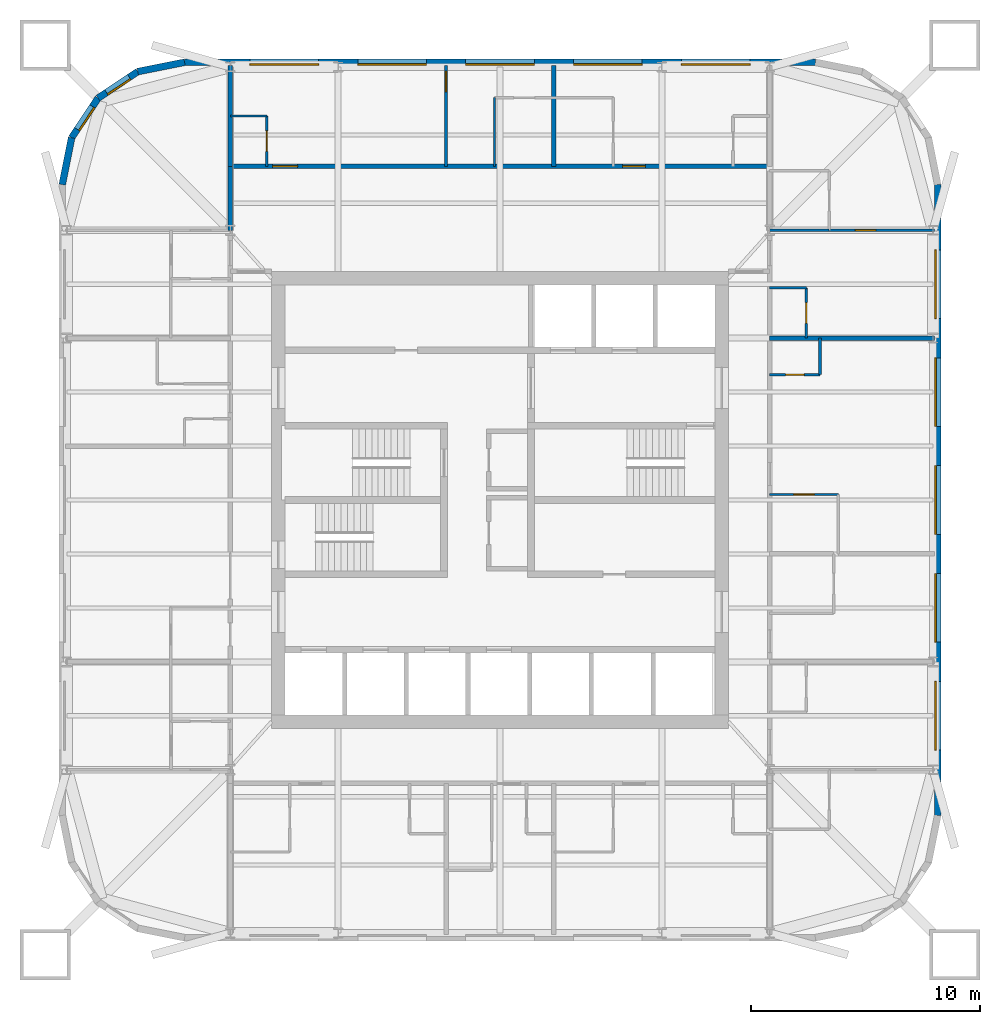
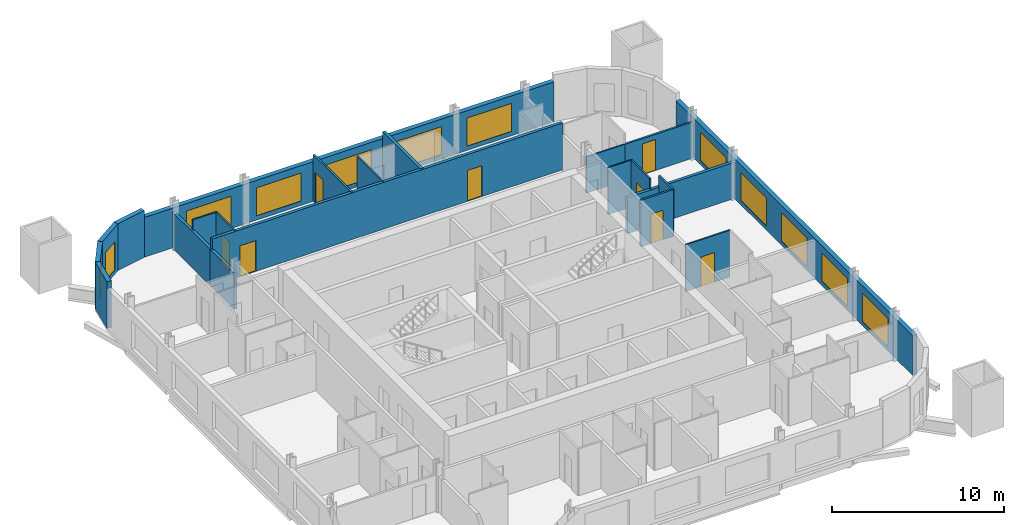
# One storey, part 6 of 8: 22 walls, 12 windows, 8 doors, 20 openings.
"""IFC4 building model written with IfcOpenShell, lengths in metres."""

from ifc_helpers import new_model, si_unit, direction, frame, frame_2d, origin, place, context, subcontext, project, spatial, rectangle, extrude, material, layer, layer_set, type_object, element, fill, save


model = new_model("IFC4")

# Units and contexts
model_context = context("Model", 3, precision=1e-05, world=origin(), true_north=direction((0.0, 1.0)))
body_context = subcontext(model_context, "Body", "Model", "MODEL_VIEW")
ifc_project = project(units=[si_unit("LENGTHUNIT", "METRE"), si_unit("AREAUNIT", "SQUARE_METRE"), si_unit("VOLUMEUNIT", "CUBIC_METRE"), si_unit("PLANEANGLEUNIT", "RADIAN"), si_unit("MASSUNIT", "GRAM", prefix="KILO")], contexts=[model_context])

# Site, building, storey
site_placement = place(None, origin())
site = spatial("IfcSite", under=ifc_project, at=site_placement, CompositionType="ELEMENT")
building_placement = place(site_placement, origin())
building = spatial("IfcBuilding", under=site, at=building_placement, Name="Turquesa Mirador Hotel Tower", CompositionType="ELEMENT")
storey_placement = place(building_placement, frame((0.0, 0.0, 168.800048828125)))
storey = spatial("IfcBuildingStorey", under=building, at=storey_placement, Name="L45", CompositionType="ELEMENT", Elevation=168.800048828125)

# Wall, opening, door
ifc_material_1 = material(Name="Gypsum board on steel studs", Category="steel")
ifc_layer_1 = layer(ifc_material_1, 0.10009765625)
ifc_layer_set_1 = layer_set([ifc_layer_1], Name="BATHROOM WALL 100")
wall_type_1 = type_object("IfcWallType", Name="BATHROOM WALL 100", PredefinedType="PARTITIONING", material=ifc_layer_set_1)
wall_1_placement = place(storey_placement, frame((66.800048828125, 45.239990234375, 0.0), z_axis=(0.0, 0.0, 1.0), x_axis=(1.0, 0.0, 0.0)))
wall_1 = element("IfcWall", 1, at=wall_1_placement, inside=storey, type_object=wall_type_1, Name="Partition L45 020", PredefinedType="PARTITIONING", context=body_context, shape_type="SweptSolid", body=[
    extrude(rectangle(XDim=3.0, YDim=0.10009765625, at=frame_2d((1.5, 0.0))), origin(), (0.0, 0.0, 1.0), 3.329833984375),
])
opening_1_placement = place(wall_1_placement, frame((1.050048828125, 0.0, 0.0)))
opening_1 = element("IfcOpeningElement", 2, at=opening_1_placement, cuts=wall_1, Name="Opening D02", PredefinedType="OPENING", context=body_context, shape_type="SweptSolid", body=[
    extrude(rectangle(XDim=0.89990234375, YDim=2.10009765625, at=frame_2d((0.449951171875, 1.050048828125))), frame((0.0, 0.06005859375, 0.0), z_axis=(0.0, -1.0, 0.0), x_axis=(1.0, 0.0, 0.0)), (0.0, 0.0, 1.0), 0.1201171875),
])
ifc_material_2 = material(Name="Timber veneered door", Category="wood")
door_type_1 = type_object("IfcDoorType", Name="DOOR 900X2100 EN-SUITE", OperationType="SINGLE_SWING_RIGHT", PredefinedType="DOOR", material=ifc_material_2)
door_1_placement = place(opening_1_placement, origin())
door_1 = element("IfcDoor", 3, at=door_1_placement, inside=storey, type_object=door_type_1, Name="Door 4507B", OperationType="SINGLE_SWING_RIGHT", OverallHeight=2.10009765625, OverallWidth=0.89990234375, PredefinedType="DOOR", context=body_context, shape_type="SweptSolid", body=[
    extrude(rectangle(XDim=0.89990234375, YDim=2.10009765625, at=frame_2d((0.449951171875, 1.050048828125))), frame((0.0, 0.02490234375, 0.0), z_axis=(0.0, -1.0, 0.0), x_axis=(1.0, 0.0, 0.0)), (0.0, 0.0, 1.0), 0.050048828125),
])
fill(opening_1, door_1)

# Walls
wall_2_placement = place(storey_placement, frame((66.800048828125, 56.800048828125, 0.0), z_axis=(0.0, 0.0, 1.0), x_axis=(1.0, 0.0, 0.0)))
element("IfcWall", 4, at=wall_2_placement, inside=storey, type_object=wall_type_1, Name="Partition L45 023", PredefinedType="PARTITIONING", context=body_context, shape_type="SweptSolid", body=[
    extrude(rectangle(XDim=2.599853515625, YDim=0.10009765625, at=frame_2d((1.2998046875, 0.0))), origin(), (0.0, 0.0, 1.0), 2.572998046875),
])
wall_3_placement = place(storey_placement, frame((43.199951171875, 61.800048828125, 0.0), z_axis=(0.0, 0.0, 1.0), x_axis=(1.0, 0.0, 0.0)))
element("IfcWall", 5, at=wall_3_placement, inside=storey, type_object=wall_type_1, Name="Partition L45 028", PredefinedType="PARTITIONING", context=body_context, shape_type="SweptSolid", body=[
    extrude(rectangle(XDim=1.60009765625, YDim=0.10009765625, at=frame_2d((0.800048828125, 0.0))), origin(), (0.0, 0.0, 1.0), 3.329833984375),
])
wall_4_placement = place(storey_placement, frame((66.800048828125, 54.280029296875, 0.0), z_axis=(0.0, 0.0, 1.0), x_axis=(1.0, 0.0, 0.0)))
element("IfcWall", 6, at=wall_4_placement, inside=storey, type_object=wall_type_1, Name="Partition L45 037", PredefinedType="PARTITIONING", context=body_context, shape_type="SweptSolid", body=[
    extrude(rectangle(XDim=1.599853515625, YDim=0.10009765625, at=frame_2d((0.7998046875, 0.0))), origin(), (0.0, 0.0, 1.0), 3.329833984375),
])
wall_5_placement = place(storey_placement, frame((54.760009765625, 59.60009765625, 0.0), z_axis=(0.0, 0.0, 1.0), x_axis=(0.0, 1.0, 0.0)))
element("IfcWall", 7, at=wall_5_placement, inside=storey, type_object=wall_type_1, Name="Partition L45 039", PredefinedType="PARTITIONING", context=body_context, shape_type="SweptSolid", body=[
    extrude(rectangle(XDim=3.0, YDim=0.10009765625, at=frame_2d((1.5, 0.0))), origin(), (0.0, 0.0, 1.0), 3.329833984375),
])

# Wall, opening, door
wall_6_placement = place(storey_placement, frame((44.800048828125, 59.60009765625, 0.0), z_axis=(0.0, 0.0, 1.0), x_axis=(0.0, 1.0, 0.0)))
wall_6 = element("IfcWall", 8, at=wall_6_placement, inside=storey, type_object=wall_type_1, Name="Partition L45 041", PredefinedType="PARTITIONING", context=body_context, shape_type="SweptSolid", body=[
    extrude(rectangle(XDim=2.199951171875, YDim=0.10009765625, at=frame_2d((1.10009765625, 0.0))), origin(), (0.0, 0.0, 1.0), 3.329833984375),
])
opening_2_placement = place(wall_6_placement, frame((0.64990234375, 0.0, 0.0)))
opening_2 = element("IfcOpeningElement", 9, at=opening_2_placement, cuts=wall_6, Name="Opening D06", PredefinedType="OPENING", context=body_context, shape_type="SweptSolid", body=[
    extrude(rectangle(XDim=0.89990234375, YDim=2.10009765625, at=frame_2d((0.449951171875, 1.050048828125))), frame((0.0, 0.06005859375, 0.0), z_axis=(0.0, -1.0, 0.0), x_axis=(1.0, 0.0, 0.0)), (0.0, 0.0, 1.0), 0.1201171875),
])
ifc_material_3 = material(Name="Laminate door", Category="wood")
door_type_2 = type_object("IfcDoorType", Name="DOOR 900X2100 WC", OperationType="SINGLE_SWING_LEFT", PredefinedType="DOOR", material=ifc_material_3)
door_2_placement = place(opening_2_placement, origin())
door_2 = element("IfcDoor", 10, at=door_2_placement, inside=storey, type_object=door_type_2, Name="Door 4501W", OperationType="SINGLE_SWING_LEFT", OverallHeight=2.10009765625, OverallWidth=0.89990234375, PredefinedType="DOOR", context=body_context, shape_type="SweptSolid", body=[
    extrude(rectangle(XDim=0.89990234375, YDim=2.10009765625, at=frame_2d((0.449951171875, 1.050048828125))), frame((0.0, 0.02490234375, 0.0), z_axis=(0.0, -1.0, 0.0), x_axis=(1.0, 0.0, 0.0)), (0.0, 0.0, 1.0), 0.050048828125),
])
fill(opening_2, door_2)

wall_7_placement = place(storey_placement, frame((68.39990234375, 52.080078125, 0.0), z_axis=(0.0, 0.0, 1.0), x_axis=(0.0, 1.0, 0.0)))
wall_7 = element("IfcWall", 11, at=wall_7_placement, inside=storey, type_object=wall_type_1, Name="Partition L45 063", PredefinedType="PARTITIONING", context=body_context, shape_type="SweptSolid", body=[
    extrude(rectangle(XDim=2.199951171875, YDim=0.10009765625, at=frame_2d((1.10009765625, 0.0))), origin(), (0.0, 0.0, 1.0), 3.329833984375),
])
opening_3_placement = place(wall_7_placement, frame((0.64990234375, 0.0, 0.0)))
opening_3 = element("IfcOpeningElement", 12, at=opening_3_placement, cuts=wall_7, Name="Opening D06", PredefinedType="OPENING", context=body_context, shape_type="SweptSolid", body=[
    extrude(rectangle(XDim=0.89990234375, YDim=2.10009765625, at=frame_2d((0.449951171875, 1.050048828125))), frame((0.0, 0.06005859375, 0.0), z_axis=(0.0, -1.0, 0.0), x_axis=(1.0, 0.0, 0.0)), (0.0, 0.0, 1.0), 0.1201171875),
])
door_3_placement = place(opening_3_placement, origin())
door_3 = element("IfcDoor", 13, at=door_3_placement, inside=storey, type_object=door_type_2, Name="Door 4509W", OperationType="SINGLE_SWING_LEFT", OverallHeight=2.10009765625, OverallWidth=0.89990234375, PredefinedType="DOOR", context=body_context, shape_type="SweptSolid", body=[
    extrude(rectangle(XDim=0.89990234375, YDim=2.10009765625, at=frame_2d((0.449951171875, 1.050048828125))), frame((0.0, 0.02490234375, 0.0), z_axis=(0.0, -1.0, 0.0), x_axis=(1.0, 0.0, 0.0)), (0.0, 0.0, 1.0), 0.050048828125),
])
fill(opening_3, door_3)

# Wall, openings, doors
ifc_material_4 = material(Name="Fire-rated gypsum board on steel studs", Category="steel")
ifc_layer_2 = layer(ifc_material_4, 0.199951171875)
ifc_layer_set_2 = layer_set([ifc_layer_2], Name="CORRIDOR WALL 200")
wall_type_2 = type_object("IfcWallType", Name="CORRIDOR WALL 200", PredefinedType="PARTITIONING", material=ifc_layer_set_2)
wall_8_placement = place(storey_placement, frame((43.199951171875, 59.60009765625, 0.0), z_axis=(0.0, 0.0, 1.0), x_axis=(1.0, 0.0, 0.0)))
wall_8 = element("IfcWall", 14, at=wall_8_placement, inside=storey, type_object=wall_type_2, Name="Partition L45 027", PredefinedType="PARTITIONING", context=body_context, shape_type="SweptSolid", body=[
    extrude(rectangle(XDim=23.60009765625, YDim=0.199951171875, at=frame_2d((11.800048828125, 0.0))), origin(), (0.0, 0.0, 1.0), 3.329833984375),
])
opening_4_placement = place(wall_8_placement, frame((1.85009765625, 0.0, 0.0)))
opening_4 = element("IfcOpeningElement", 15, at=opening_4_placement, cuts=wall_8, Name="Opening D15", PredefinedType="OPENING", context=body_context, shape_type="SweptSolid", body=[
    extrude(rectangle(XDim=1.10009765625, YDim=2.199951171875, at=frame_2d((0.550048828125, 1.10009765625))), frame((0.0, 0.10986328125, 0.0), z_axis=(0.0, -1.0, 0.0), x_axis=(1.0, 0.0, 0.0)), (0.0, 0.0, 1.0), 0.219970703125),
])
opening_5_placement = place(wall_8_placement, frame((17.159912109375, 0.0, 0.0)))
opening_5 = element("IfcOpeningElement", 16, at=opening_5_placement, cuts=wall_8, Name="Opening D01", PredefinedType="OPENING", context=body_context, shape_type="SweptSolid", body=[
    extrude(rectangle(XDim=1.0, YDim=2.199951171875, at=frame_2d((0.5, 1.10009765625))), frame((0.0, 0.10986328125, 0.0), z_axis=(0.0, -1.0, 0.0), x_axis=(1.0, 0.0, 0.0)), (0.0, 0.0, 1.0), 0.219970703125),
])
ifc_material_5 = material(Name="Timber veneered fire door", Category="wood")
door_type_3 = type_object("IfcDoorType", Name="DOOR 1000X2200 GUEST ENTRY", OperationType="SINGLE_SWING_LEFT", PredefinedType="DOOR", material=ifc_material_5)
door_4_placement = place(opening_5_placement, origin())
door_4 = element("IfcDoor", 17, at=door_4_placement, inside=storey, type_object=door_type_3, Name="Door 4502", OperationType="SINGLE_SWING_LEFT", OverallHeight=2.199951171875, OverallWidth=1.0, PredefinedType="DOOR", context=body_context, shape_type="SweptSolid", body=[
    extrude(rectangle(XDim=1.0, YDim=2.199951171875, at=frame_2d((0.5, 1.10009765625))), frame((0.0, 0.02490234375, 0.0), z_axis=(0.0, -1.0, 0.0), x_axis=(1.0, 0.0, 0.0)), (0.0, 0.0, 1.0), 0.050048828125),
])
fill(opening_5, door_4)
ifc_material_6 = material(Name="Timber veneered fire door", Category="wood")
door_type_4 = type_object("IfcDoorType", Name="DOOR 1100X2200 SUITE ENTRY", OperationType="SINGLE_SWING_LEFT", PredefinedType="DOOR", material=ifc_material_6)
door_5_placement = place(opening_4_placement, origin())
door_5 = element("IfcDoor", 18, at=door_5_placement, inside=storey, type_object=door_type_4, Name="Door 4501", OperationType="SINGLE_SWING_LEFT", OverallHeight=2.199951171875, OverallWidth=1.10009765625, PredefinedType="DOOR", context=body_context, shape_type="SweptSolid", body=[
    extrude(rectangle(XDim=1.10009765625, YDim=2.199951171875, at=frame_2d((0.550048828125, 1.10009765625))), frame((0.0, 0.02490234375, 0.0), z_axis=(0.0, -1.0, 0.0), x_axis=(1.0, 0.0, 0.0)), (0.0, 0.0, 1.0), 0.050048828125),
])
fill(opening_4, door_5)

# Wall
wall_9_placement = place(storey_placement, frame((43.199951171875, 56.780029296875, 0.0), z_axis=(0.0, 0.0, 1.0), x_axis=(0.0, 1.0, 0.0)))
element("IfcWall", 19, at=wall_9_placement, inside=storey, type_object=wall_type_2, Name="Partition L45 074", PredefinedType="PARTITIONING", context=body_context, shape_type="SweptSolid", body=[
    extrude(rectangle(XDim=2.820068359375, YDim=0.199951171875, at=frame_2d((1.41015625, 0.0))), origin(), (0.0, 0.0, 1.0), 2.572998046875),
])

# Wall, openings, windows
ifc_material_7 = material(Name="Limestone cladding on concrete block", Category="masonry")
ifc_layer_3 = layer(ifc_material_7, 0.300048828125)
ifc_layer_set_3 = layer_set([ifc_layer_3], Name="FACADE WALL 300 STONE SCREEN")
wall_type_3 = type_object("IfcWallType", Name="FACADE WALL 300 STONE SCREEN", PredefinedType="SOLIDWALL", material=ifc_layer_set_3)
wall_10_placement = place(storey_placement, frame((74.14990234375, 31.199951171875, 0.0), z_axis=(0.0, 0.0, 1.0), x_axis=(0.0, 1.0, 0.0)))
wall_10 = element("IfcWall", 20, at=wall_10_placement, inside=storey, type_object=wall_type_3, Name="Facade wall L45 04", PredefinedType="SOLIDWALL", context=body_context, shape_type="SweptSolid", body=[
    extrude(rectangle(XDim=27.60009765625, YDim=0.300048828125, at=frame_2d((13.800048828125, 0.0))), origin(), (0.0, 0.0, 1.0), 2.829833984375),
])
opening_6_placement = place(wall_10_placement, frame((2.860107421875, 0.0, 0.300048828125)))
opening_6 = element("IfcOpeningElement", 21, at=opening_6_placement, cuts=wall_10, Name="Opening WN1", PredefinedType="OPENING", context=body_context, shape_type="SweptSolid", body=[
    extrude(rectangle(XDim=3.0, YDim=2.0, at=frame_2d((1.5, 1.0))), frame((0.0, 0.159912109375, 0.0), z_axis=(0.0, -1.0, 0.0), x_axis=(1.0, 0.0, 0.0)), (0.0, 0.0, 1.0), 0.320068359375),
])
opening_7_placement = place(wall_10_placement, frame((7.580078125, 0.0, 0.300048828125)))
opening_7 = element("IfcOpeningElement", 22, at=opening_7_placement, cuts=wall_10, Name="Opening WN1", PredefinedType="OPENING", context=body_context, shape_type="SweptSolid", body=[
    extrude(rectangle(XDim=3.0, YDim=2.0, at=frame_2d((1.5, 1.0))), frame((0.0, 0.159912109375, 0.0), z_axis=(0.0, -1.0, 0.0), x_axis=(1.0, 0.0, 0.0)), (0.0, 0.0, 1.0), 0.320068359375),
])
opening_8_placement = place(wall_10_placement, frame((12.300048828125, 0.0, 0.300048828125)))
opening_8 = element("IfcOpeningElement", 23, at=opening_8_placement, cuts=wall_10, Name="Opening WN1", PredefinedType="OPENING", context=body_context, shape_type="SweptSolid", body=[
    extrude(rectangle(XDim=3.0, YDim=2.0, at=frame_2d((1.5, 1.0))), frame((0.0, 0.159912109375, 0.0), z_axis=(0.0, -1.0, 0.0), x_axis=(1.0, 0.0, 0.0)), (0.0, 0.0, 1.0), 0.320068359375),
])
opening_9_placement = place(wall_10_placement, frame((17.02001953125, 0.0, 0.300048828125)))
opening_9 = element("IfcOpeningElement", 24, at=opening_9_placement, cuts=wall_10, Name="Opening WN1", PredefinedType="OPENING", context=body_context, shape_type="SweptSolid", body=[
    extrude(rectangle(XDim=3.0, YDim=2.0, at=frame_2d((1.5, 1.0))), frame((0.0, 0.159912109375, 0.0), z_axis=(0.0, -1.0, 0.0), x_axis=(1.0, 0.0, 0.0)), (0.0, 0.0, 1.0), 0.320068359375),
])
opening_10_placement = place(wall_10_placement, frame((21.739990234375, 0.0, 0.300048828125)))
opening_10 = element("IfcOpeningElement", 25, at=opening_10_placement, cuts=wall_10, Name="Opening WN1", PredefinedType="OPENING", context=body_context, shape_type="SweptSolid", body=[
    extrude(rectangle(XDim=3.0, YDim=2.0, at=frame_2d((1.5, 1.0))), frame((0.0, 0.159912109375, 0.0), z_axis=(0.0, -1.0, 0.0), x_axis=(1.0, 0.0, 0.0)), (0.0, 0.0, 1.0), 0.320068359375),
])
ifc_material_8 = material(Name="Ceramic-fritted laminated glass", Category="glass")
window_type_1 = type_object("IfcWindowType", Name="FRITTED WINDOW 3000X2000", PartitioningType="DOUBLE_PANEL_HORIZONTAL", PredefinedType="WINDOW", material=ifc_material_8)
window_1_placement = place(opening_6_placement, origin())
window_1 = element("IfcWindow", 26, at=window_1_placement, inside=storey, type_object=window_type_1, Name="Window L45", OverallHeight=2.0, OverallWidth=3.0, PartitioningType="SINGLE_PANEL", PredefinedType="WINDOW", context=body_context, shape_type="SweptSolid", body=[
    extrude(rectangle(XDim=3.0, YDim=2.0, at=frame_2d((1.5, 1.0))), frame((0.0, 0.130126953125, 0.0), z_axis=(0.0, -1.0, 0.0), x_axis=(1.0, 0.0, 0.0)), (0.0, 0.0, 1.0), 0.06005859375),
])
fill(opening_6, window_1)
window_2_placement = place(opening_7_placement, origin())
window_2 = element("IfcWindow", 27, at=window_2_placement, inside=storey, type_object=window_type_1, Name="Window L45", OverallHeight=2.0, OverallWidth=3.0, PartitioningType="SINGLE_PANEL", PredefinedType="WINDOW", context=body_context, shape_type="SweptSolid", body=[
    extrude(rectangle(XDim=3.0, YDim=2.0, at=frame_2d((1.5, 1.0))), frame((0.0, 0.130126953125, 0.0), z_axis=(0.0, -1.0, 0.0), x_axis=(1.0, 0.0, 0.0)), (0.0, 0.0, 1.0), 0.06005859375),
])
fill(opening_7, window_2)
window_3_placement = place(opening_8_placement, origin())
window_3 = element("IfcWindow", 28, at=window_3_placement, inside=storey, type_object=window_type_1, Name="Window L45", OverallHeight=2.0, OverallWidth=3.0, PartitioningType="SINGLE_PANEL", PredefinedType="WINDOW", context=body_context, shape_type="SweptSolid", body=[
    extrude(rectangle(XDim=3.0, YDim=2.0, at=frame_2d((1.5, 1.0))), frame((0.0, 0.130126953125, 0.0), z_axis=(0.0, -1.0, 0.0), x_axis=(1.0, 0.0, 0.0)), (0.0, 0.0, 1.0), 0.06005859375),
])
fill(opening_8, window_3)
window_4_placement = place(opening_9_placement, origin())
window_4 = element("IfcWindow", 29, at=window_4_placement, inside=storey, type_object=window_type_1, Name="Window L45", OverallHeight=2.0, OverallWidth=3.0, PartitioningType="SINGLE_PANEL", PredefinedType="WINDOW", context=body_context, shape_type="SweptSolid", body=[
    extrude(rectangle(XDim=3.0, YDim=2.0, at=frame_2d((1.5, 1.0))), frame((0.0, 0.130126953125, 0.0), z_axis=(0.0, -1.0, 0.0), x_axis=(1.0, 0.0, 0.0)), (0.0, 0.0, 1.0), 0.06005859375),
])
fill(opening_9, window_4)
window_5_placement = place(opening_10_placement, origin())
window_5 = element("IfcWindow", 30, at=window_5_placement, inside=storey, type_object=window_type_1, Name="Window L45", OverallHeight=2.0, OverallWidth=3.0, PartitioningType="SINGLE_PANEL", PredefinedType="WINDOW", context=body_context, shape_type="SweptSolid", body=[
    extrude(rectangle(XDim=3.0, YDim=2.0, at=frame_2d((1.5, 1.0))), frame((0.0, 0.130126953125, 0.0), z_axis=(0.0, -1.0, 0.0), x_axis=(1.0, 0.0, 0.0)), (0.0, 0.0, 1.0), 0.06005859375),
])
fill(opening_10, window_5)

wall_11_placement = place(storey_placement, frame((68.800048828125, 64.14990234375, 0.0), z_axis=(0.0, 0.0, 1.0), x_axis=(-1.0, 0.0, 0.0)))
wall_11 = element("IfcWall", 31, at=wall_11_placement, inside=storey, type_object=wall_type_3, Name="Facade wall L45 09", PredefinedType="SOLIDWALL", context=body_context, shape_type="SweptSolid", body=[
    extrude(rectangle(XDim=27.60009765625, YDim=0.300048828125, at=frame_2d((13.800048828125, 0.0))), origin(), (0.0, 0.0, 1.0), 2.829833984375),
])
opening_11_placement = place(wall_11_placement, frame((2.860107421875, 0.0, 0.300048828125)))
opening_11 = element("IfcOpeningElement", 32, at=opening_11_placement, cuts=wall_11, Name="Opening WN1", PredefinedType="OPENING", context=body_context, shape_type="SweptSolid", body=[
    extrude(rectangle(XDim=3.0, YDim=2.0, at=frame_2d((1.5, 1.0))), frame((0.0, 0.159912109375, 0.0), z_axis=(0.0, -1.0, 0.0), x_axis=(1.0, 0.0, 0.0)), (0.0, 0.0, 1.0), 0.320068359375),
])
opening_12_placement = place(wall_11_placement, frame((7.580078125, 0.0, 0.300048828125)))
opening_12 = element("IfcOpeningElement", 33, at=opening_12_placement, cuts=wall_11, Name="Opening WN1", PredefinedType="OPENING", context=body_context, shape_type="SweptSolid", body=[
    extrude(rectangle(XDim=3.0, YDim=2.0, at=frame_2d((1.5, 1.0))), frame((0.0, 0.159912109375, 0.0), z_axis=(0.0, -1.0, 0.0), x_axis=(1.0, 0.0, 0.0)), (0.0, 0.0, 1.0), 0.320068359375),
])
opening_13_placement = place(wall_11_placement, frame((12.300048828125, 0.0, 0.300048828125)))
opening_13 = element("IfcOpeningElement", 34, at=opening_13_placement, cuts=wall_11, Name="Opening WN1", PredefinedType="OPENING", context=body_context, shape_type="SweptSolid", body=[
    extrude(rectangle(XDim=3.0, YDim=2.0, at=frame_2d((1.5, 1.0))), frame((0.0, 0.159912109375, 0.0), z_axis=(0.0, -1.0, 0.0), x_axis=(1.0, 0.0, 0.0)), (0.0, 0.0, 1.0), 0.320068359375),
])
opening_14_placement = place(wall_11_placement, frame((17.02001953125, 0.0, 0.300048828125)))
opening_14 = element("IfcOpeningElement", 35, at=opening_14_placement, cuts=wall_11, Name="Opening WN1", PredefinedType="OPENING", context=body_context, shape_type="SweptSolid", body=[
    extrude(rectangle(XDim=3.0, YDim=2.0, at=frame_2d((1.5, 1.0))), frame((0.0, 0.159912109375, 0.0), z_axis=(0.0, -1.0, 0.0), x_axis=(1.0, 0.0, 0.0)), (0.0, 0.0, 1.0), 0.320068359375),
])
opening_15_placement = place(wall_11_placement, frame((21.739990234375, 0.0, 0.300048828125)))
opening_15 = element("IfcOpeningElement", 36, at=opening_15_placement, cuts=wall_11, Name="Opening WN1", PredefinedType="OPENING", context=body_context, shape_type="SweptSolid", body=[
    extrude(rectangle(XDim=3.0, YDim=2.0, at=frame_2d((1.5, 1.0))), frame((0.0, 0.159912109375, 0.0), z_axis=(0.0, -1.0, 0.0), x_axis=(1.0, 0.0, 0.0)), (0.0, 0.0, 1.0), 0.320068359375),
])
window_6_placement = place(opening_11_placement, origin())
window_6 = element("IfcWindow", 37, at=window_6_placement, inside=storey, type_object=window_type_1, Name="Window L45", OverallHeight=2.0, OverallWidth=3.0, PartitioningType="SINGLE_PANEL", PredefinedType="WINDOW", context=body_context, shape_type="SweptSolid", body=[
    extrude(rectangle(XDim=3.0, YDim=2.0, at=frame_2d((1.5, 1.0))), frame((0.0, 0.130126953125, 0.0), z_axis=(0.0, -1.0, 0.0), x_axis=(1.0, 0.0, 0.0)), (0.0, 0.0, 1.0), 0.06005859375),
])
fill(opening_11, window_6)
window_7_placement = place(opening_12_placement, origin())
window_7 = element("IfcWindow", 38, at=window_7_placement, inside=storey, type_object=window_type_1, Name="Window L45", OverallHeight=2.0, OverallWidth=3.0, PartitioningType="SINGLE_PANEL", PredefinedType="WINDOW", context=body_context, shape_type="SweptSolid", body=[
    extrude(rectangle(XDim=3.0, YDim=2.0, at=frame_2d((1.5, 1.0))), frame((0.0, 0.130126953125, 0.0), z_axis=(0.0, -1.0, 0.0), x_axis=(1.0, 0.0, 0.0)), (0.0, 0.0, 1.0), 0.06005859375),
])
fill(opening_12, window_7)
window_8_placement = place(opening_13_placement, origin())
window_8 = element("IfcWindow", 39, at=window_8_placement, inside=storey, type_object=window_type_1, Name="Window L45", OverallHeight=2.0, OverallWidth=3.0, PartitioningType="SINGLE_PANEL", PredefinedType="WINDOW", context=body_context, shape_type="SweptSolid", body=[
    extrude(rectangle(XDim=3.0, YDim=2.0, at=frame_2d((1.5, 1.0))), frame((0.0, 0.130126953125, 0.0), z_axis=(0.0, -1.0, 0.0), x_axis=(1.0, 0.0, 0.0)), (0.0, 0.0, 1.0), 0.06005859375),
])
fill(opening_13, window_8)
window_9_placement = place(opening_14_placement, origin())
window_9 = element("IfcWindow", 40, at=window_9_placement, inside=storey, type_object=window_type_1, Name="Window L45", OverallHeight=2.0, OverallWidth=3.0, PartitioningType="SINGLE_PANEL", PredefinedType="WINDOW", context=body_context, shape_type="SweptSolid", body=[
    extrude(rectangle(XDim=3.0, YDim=2.0, at=frame_2d((1.5, 1.0))), frame((0.0, 0.130126953125, 0.0), z_axis=(0.0, -1.0, 0.0), x_axis=(1.0, 0.0, 0.0)), (0.0, 0.0, 1.0), 0.06005859375),
])
fill(opening_14, window_9)
window_10_placement = place(opening_15_placement, origin())
window_10 = element("IfcWindow", 41, at=window_10_placement, inside=storey, type_object=window_type_1, Name="Window L45", OverallHeight=2.0, OverallWidth=3.0, PartitioningType="SINGLE_PANEL", PredefinedType="WINDOW", context=body_context, shape_type="SweptSolid", body=[
    extrude(rectangle(XDim=3.0, YDim=2.0, at=frame_2d((1.5, 1.0))), frame((0.0, 0.130126953125, 0.0), z_axis=(0.0, -1.0, 0.0), x_axis=(1.0, 0.0, 0.0)), (0.0, 0.0, 1.0), 0.06005859375),
])
fill(opening_15, window_10)

# Wall
wall_12_placement = place(storey_placement, frame((41.199951171875, 64.14990234375, 0.0), z_axis=(0.0, 0.0, 1.0), x_axis=(-0.980787050784, -0.195081421501, 0.0)))
element("IfcWall", 42, at=wall_12_placement, inside=storey, type_object=wall_type_3, Name="Facade wall L45 10", PredefinedType="SOLIDWALL", context=body_context, shape_type="SweptSolid", body=[
    extrude(rectangle(XDim=2.08740234375, YDim=0.300048828125, at=frame_2d((1.043701171875, 0.0))), origin(), (0.0, 0.0, 1.0), 3.329833984375),
])

# Wall, opening, window
wall_13_placement = place(storey_placement, frame((39.152587890625, 63.74267578125, 0.0), z_axis=(0.0, 0.0, 1.0), x_axis=(-0.831474039234, -0.555563607591, 0.0)))
wall_13 = element("IfcWall", 43, at=wall_13_placement, inside=storey, type_object=wall_type_3, Name="Facade wall L45 11", PredefinedType="SOLIDWALL", context=body_context, shape_type="SweptSolid", body=[
    extrude(rectangle(XDim=2.08740234375, YDim=0.300048828125, at=frame_2d((1.043701171875, 0.0))), origin(), (0.0, 0.0, 1.0), 3.329833984375),
])
opening_16_placement = place(wall_13_placement, frame((0.443603515625, 0.0, 0.300048828125)))
opening_16 = element("IfcOpeningElement", 44, at=opening_16_placement, cuts=wall_13, Name="Opening WN4", PredefinedType="OPENING", context=body_context, shape_type="SweptSolid", body=[
    extrude(rectangle(XDim=1.199951171875, YDim=2.0, at=frame_2d((0.60009765625, 1.0))), frame((0.0, 0.159912109375, 0.0), z_axis=(0.0, -1.0, 0.0), x_axis=(1.0, 0.0, 0.0)), (0.0, 0.0, 1.0), 0.320068359375),
])
ifc_material_9 = material(Name="Ceramic-fritted laminated glass", Category="glass")
window_type_2 = type_object("IfcWindowType", Name="FRITTED CORNER WINDOW 1200X2000", PartitioningType="DOUBLE_PANEL_HORIZONTAL", PredefinedType="WINDOW", material=ifc_material_9)
window_11_placement = place(opening_16_placement, origin())
window_11 = element("IfcWindow", 45, at=window_11_placement, inside=storey, type_object=window_type_2, Name="Window L45", OverallHeight=2.0, OverallWidth=1.199951171875, PartitioningType="SINGLE_PANEL", PredefinedType="WINDOW", context=body_context, shape_type="SweptSolid", body=[
    extrude(rectangle(XDim=1.199951171875, YDim=2.0, at=frame_2d((0.60009765625, 1.0))), frame((0.0, 0.130126953125, 0.0), z_axis=(0.0, -1.0, 0.0), x_axis=(1.0, 0.0, 0.0)), (0.0, 0.0, 1.0), 0.06005859375),
])
fill(opening_16, window_11)

wall_14_placement = place(storey_placement, frame((37.4169921875, 62.5830078125, 0.0), z_axis=(0.0, 0.0, 1.0), x_axis=(-0.555563607591, -0.831474039234, 0.0)))
wall_14 = element("IfcWall", 46, at=wall_14_placement, inside=storey, type_object=wall_type_3, Name="Facade wall L45 12", PredefinedType="SOLIDWALL", context=body_context, shape_type="SweptSolid", body=[
    extrude(rectangle(XDim=2.08740234375, YDim=0.300048828125, at=frame_2d((1.043701171875, 0.0))), origin(), (0.0, 0.0, 1.0), 3.329833984375),
])
opening_17_placement = place(wall_14_placement, frame((0.443603515625, 0.0, 0.300048828125)))
opening_17 = element("IfcOpeningElement", 47, at=opening_17_placement, cuts=wall_14, Name="Opening WN4", PredefinedType="OPENING", context=body_context, shape_type="SweptSolid", body=[
    extrude(rectangle(XDim=1.199951171875, YDim=2.0, at=frame_2d((0.60009765625, 1.0))), frame((0.0, 0.159912109375, 0.0), z_axis=(0.0, -1.0, 0.0), x_axis=(1.0, 0.0, 0.0)), (0.0, 0.0, 1.0), 0.320068359375),
])
window_12_placement = place(opening_17_placement, origin())
window_12 = element("IfcWindow", 48, at=window_12_placement, inside=storey, type_object=window_type_2, Name="Window L45", OverallHeight=2.0, OverallWidth=1.199951171875, PartitioningType="SINGLE_PANEL", PredefinedType="WINDOW", context=body_context, shape_type="SweptSolid", body=[
    extrude(rectangle(XDim=1.199951171875, YDim=2.0, at=frame_2d((0.60009765625, 1.0))), frame((0.0, 0.130126953125, 0.0), z_axis=(0.0, -1.0, 0.0), x_axis=(1.0, 0.0, 0.0)), (0.0, 0.0, 1.0), 0.06005859375),
])
fill(opening_17, window_12)

# Walls
wall_15_placement = place(storey_placement, frame((36.25732421875, 60.847412109375, 0.0), z_axis=(0.0, 0.0, 1.0), x_axis=(-0.195081421501, -0.980787050784, 0.0)))
element("IfcWall", 49, at=wall_15_placement, inside=storey, type_object=wall_type_3, Name="Facade wall L45 13", PredefinedType="SOLIDWALL", context=body_context, shape_type="SweptSolid", body=[
    extrude(rectangle(XDim=2.08740234375, YDim=0.300048828125, at=frame_2d((1.043701171875, 0.0))), origin(), (0.0, 0.0, 1.0), 3.329833984375),
])
ifc_material_10 = material(Name="Fire-rated gypsum board on steel studs", Category="steel")
ifc_layer_4 = layer(ifc_material_10, 0.199951171875)
ifc_layer_set_4 = layer_set([ifc_layer_4], Name="PARTY WALL 200")
wall_type_4 = type_object("IfcWallType", Name="PARTY WALL 200", PredefinedType="PARTITIONING", material=ifc_layer_set_4)
wall_16_placement = place(storey_placement, frame((66.800048828125, 52.080078125, 0.0), z_axis=(0.0, 0.0, 1.0), x_axis=(1.0, 0.0, 0.0)))
element("IfcWall", 50, at=wall_16_placement, inside=storey, type_object=wall_type_4, Name="Partition L45 036", PredefinedType="PARTITIONING", context=body_context, shape_type="SweptSolid", body=[
    extrude(rectangle(XDim=7.199951171875, YDim=0.199951171875, at=frame_2d((3.60009765625, 0.0))), origin(), (0.0, 0.0, 1.0), 2.572998046875),
])
wall_17_placement = place(storey_placement, frame((43.199951171875, 59.60009765625, 0.0), z_axis=(0.0, 0.0, 1.0), x_axis=(0.0, 1.0, 0.0)))
element("IfcWall", 51, at=wall_17_placement, inside=storey, type_object=wall_type_4, Name="Partition L45 044", PredefinedType="PARTITIONING", context=body_context, shape_type="SweptSolid", body=[
    extrude(rectangle(XDim=4.39990234375, YDim=0.199951171875, at=frame_2d((2.199951171875, 0.0))), origin(), (0.0, 0.0, 1.0), 2.572998046875),
])
wall_18_placement = place(storey_placement, frame((57.360107421875, 59.60009765625, 0.0), z_axis=(0.0, 0.0, 1.0), x_axis=(0.0, 1.0, 0.0)))
element("IfcWall", 52, at=wall_18_placement, inside=storey, type_object=wall_type_4, Name="Partition L45 070", PredefinedType="PARTITIONING", context=body_context, shape_type="SweptSolid", body=[
    extrude(rectangle(XDim=4.39990234375, YDim=0.199951171875, at=frame_2d((2.199951171875, 0.0))), origin(), (0.0, 0.0, 1.0), 3.329833984375),
])

# Wall, opening, door
ifc_material_11 = material(Name="Acoustic gypsum board on steel studs", Category="steel")
ifc_layer_5 = layer(ifc_material_11, 0.125)
ifc_layer_set_5 = layer_set([ifc_layer_5], Name="SUITE PARTITION 125")
wall_type_5 = type_object("IfcWallType", Name="SUITE PARTITION 125", PredefinedType="PARTITIONING", material=ifc_layer_set_5)
wall_19_placement = place(storey_placement, frame((69.39990234375, 56.800048828125, 0.0), z_axis=(0.0, 0.0, 1.0), x_axis=(1.0, 0.0, 0.0)))
wall_19 = element("IfcWall", 53, at=wall_19_placement, inside=storey, type_object=wall_type_5, Name="Partition L45 025", PredefinedType="PARTITIONING", context=body_context, shape_type="SweptSolid", body=[
    extrude(rectangle(XDim=4.60009765625, YDim=0.125, at=frame_2d((2.300048828125, 0.0))), origin(), (0.0, 0.0, 1.0), 2.572998046875),
])
opening_18_placement = place(wall_19_placement, frame((1.14990234375, 0.0, 0.0)))
opening_18 = element("IfcOpeningElement", 54, at=opening_18_placement, cuts=wall_19, Name="Opening D17", PredefinedType="OPENING", context=body_context, shape_type="SweptSolid", body=[
    extrude(rectangle(XDim=0.89990234375, YDim=2.199951171875, at=frame_2d((0.449951171875, 1.10009765625))), frame((0.0, 0.072509765625, 0.0), z_axis=(0.0, -1.0, 0.0), x_axis=(1.0, 0.0, 0.0)), (0.0, 0.0, 1.0), 0.14501953125),
])
ifc_material_12 = material(Name="Timber veneered door", Category="wood")
door_type_5 = type_object("IfcDoorType", Name="DOOR 900X2200 SUITE INTERNAL", OperationType="SINGLE_SWING_LEFT", PredefinedType="DOOR", material=ifc_material_12)
door_6_placement = place(opening_18_placement, origin())
door_6 = element("IfcDoor", 55, at=door_6_placement, inside=storey, type_object=door_type_5, Name="Door 4509R", OperationType="SINGLE_SWING_LEFT", OverallHeight=2.199951171875, OverallWidth=0.89990234375, PredefinedType="DOOR", context=body_context, shape_type="SweptSolid", body=[
    extrude(rectangle(XDim=0.89990234375, YDim=2.199951171875, at=frame_2d((0.449951171875, 1.10009765625))), frame((0.0, 0.02490234375, 0.0), z_axis=(0.0, -1.0, 0.0), x_axis=(1.0, 0.0, 0.0)), (0.0, 0.0, 1.0), 0.050048828125),
])
fill(opening_18, door_6)

wall_20_placement = place(storey_placement, frame((66.800048828125, 50.47998046875, 0.0), z_axis=(0.0, 0.0, 1.0), x_axis=(1.0, 0.0, 0.0)))
wall_20 = element("IfcWall", 56, at=wall_20_placement, inside=storey, type_object=wall_type_5, Name="Partition L45 034", PredefinedType="PARTITIONING", context=body_context, shape_type="SweptSolid", body=[
    extrude(rectangle(XDim=2.199951171875, YDim=0.125, at=frame_2d((1.10009765625, 0.0))), origin(), (0.0, 0.0, 1.0), 3.329833984375),
])
opening_19_placement = place(wall_20_placement, frame((0.699951171875, 0.0, 0.0)))
opening_19 = element("IfcOpeningElement", 57, at=opening_19_placement, cuts=wall_20, Name="Opening D20", PredefinedType="OPENING", context=body_context, shape_type="SweptSolid", body=[
    extrude(rectangle(XDim=0.800048828125, YDim=2.10009765625, at=frame_2d((0.39990234375, 1.050048828125))), frame((0.0, 0.072509765625, 0.0), z_axis=(0.0, -1.0, 0.0), x_axis=(1.0, 0.0, 0.0)), (0.0, 0.0, 1.0), 0.14501953125),
])
ifc_material_13 = material(Name="Timber veneered sliding door", Category="wood")
door_type_6 = type_object("IfcDoorType", Name="DOOR 800X2100 WARDROBE", OperationType="SLIDING_TO_LEFT", PredefinedType="DOOR", material=ifc_material_13)
door_7_placement = place(opening_19_placement, origin())
door_7 = element("IfcDoor", 58, at=door_7_placement, inside=storey, type_object=door_type_6, Name="Door 4507W", OperationType="SLIDING_TO_LEFT", OverallHeight=2.10009765625, OverallWidth=0.800048828125, PredefinedType="DOOR", context=body_context, shape_type="SweptSolid", body=[
    extrude(rectangle(XDim=0.800048828125, YDim=2.10009765625, at=frame_2d((0.39990234375, 1.050048828125))), frame((0.0, 0.02490234375, 0.0), z_axis=(0.0, -1.0, 0.0), x_axis=(1.0, 0.0, 0.0)), (0.0, 0.0, 1.0), 0.050048828125),
])
fill(opening_19, door_7)

wall_21_placement = place(storey_placement, frame((52.639892578125, 59.60009765625, 0.0), z_axis=(0.0, 0.0, 1.0), x_axis=(0.0, 1.0, 0.0)))
wall_21 = element("IfcWall", 59, at=wall_21_placement, inside=storey, type_object=wall_type_5, Name="Partition L45 052", PredefinedType="PARTITIONING", context=body_context, shape_type="SweptSolid", body=[
    extrude(rectangle(XDim=4.39990234375, YDim=0.125, at=frame_2d((2.199951171875, 0.0))), origin(), (0.0, 0.0, 1.0), 3.329833984375),
])
opening_20_placement = place(wall_21_placement, frame((3.25, 0.0, 0.0)))
opening_20 = element("IfcOpeningElement", 60, at=opening_20_placement, cuts=wall_21, Name="Opening D17", PredefinedType="OPENING", context=body_context, shape_type="SweptSolid", body=[
    extrude(rectangle(XDim=0.89990234375, YDim=2.199951171875, at=frame_2d((0.449951171875, 1.10009765625))), frame((0.0, 0.072509765625, 0.0), z_axis=(0.0, -1.0, 0.0), x_axis=(1.0, 0.0, 0.0)), (0.0, 0.0, 1.0), 0.14501953125),
])
door_8_placement = place(opening_20_placement, origin())
door_8 = element("IfcDoor", 61, at=door_8_placement, inside=storey, type_object=door_type_5, Name="Door 4501R", OperationType="SINGLE_SWING_LEFT", OverallHeight=2.199951171875, OverallWidth=0.89990234375, PredefinedType="DOOR", context=body_context, shape_type="SweptSolid", body=[
    extrude(rectangle(XDim=0.89990234375, YDim=2.199951171875, at=frame_2d((0.449951171875, 1.10009765625))), frame((0.0, 0.02490234375, 0.0), z_axis=(0.0, -1.0, 0.0), x_axis=(1.0, 0.0, 0.0)), (0.0, 0.0, 1.0), 0.050048828125),
])
fill(opening_20, door_8)

# Wall
wall_22_placement = place(storey_placement, frame((69.0, 50.47998046875, 0.0), z_axis=(0.0, 0.0, 1.0), x_axis=(0.0, 1.0, 0.0)))
element("IfcWall", 62, at=wall_22_placement, inside=storey, type_object=wall_type_5, Name="Partition L45 064", PredefinedType="PARTITIONING", context=body_context, shape_type="SweptSolid", body=[
    extrude(rectangle(XDim=1.60009765625, YDim=0.125, at=frame_2d((0.800048828125, 0.0))), origin(), (0.0, 0.0, 1.0), 3.329833984375),
])

save(model, "model.ifc")
